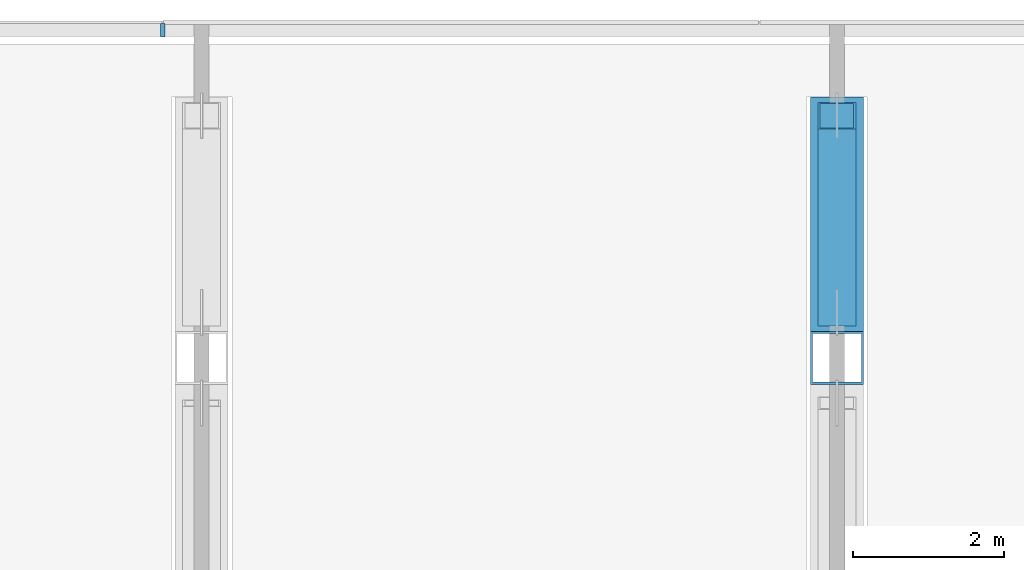
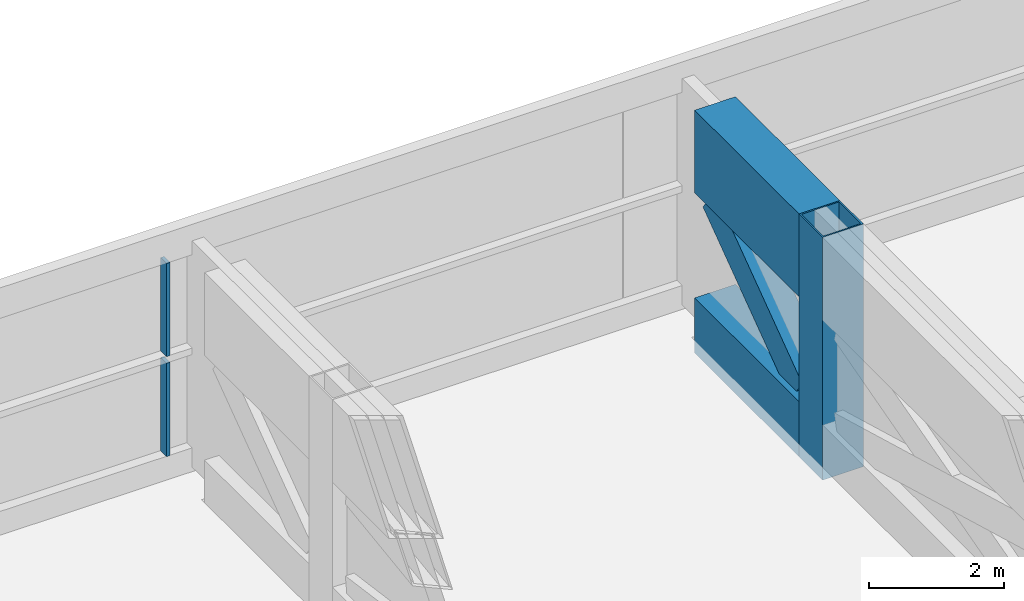
# One storey, part 10 of 33: 6 members, 1 element without a shape of its own.
"""IFC4 building model written with IfcOpenShell, lengths in metres."""

from ifc_helpers import new_model, si_unit, direction, frame, origin, origin_2d, place, context, subcontext, project, spatial, rectangle, hollow_rectangle, extrude, material, layer, layer_set, material_profile, profile_set, type_object, element, aggregate, save


model = new_model("IFC4")

# Units and contexts
model_context = context("Model", 3, precision=1e-05, world=origin(), true_north=direction((0.0, 1.0)))
body_context = subcontext(model_context, "Body", "Model", "MODEL_VIEW")
ifc_project = project(units=[si_unit("LENGTHUNIT", "METRE"), si_unit("AREAUNIT", "SQUARE_METRE"), si_unit("VOLUMEUNIT", "CUBIC_METRE"), si_unit("PLANEANGLEUNIT", "RADIAN"), si_unit("MASSUNIT", "GRAM", prefix="KILO")], contexts=[model_context])

# Site, building, storey
site_placement = place(None, origin())
site = spatial("IfcSite", under=ifc_project, at=site_placement, CompositionType="ELEMENT")
building_placement = place(site_placement, origin())
building = spatial("IfcBuilding", under=site, at=building_placement, Name="Hakoniwa Tower and Hamabe Station Hall", CompositionType="ELEMENT")
storey_placement = place(building_placement, frame((0.0, 0.0, 175.800048828125)))
storey = spatial("IfcBuildingStorey", under=building, at=storey_placement, Name="L50", CompositionType="ELEMENT", Elevation=175.800048828125)

# Curtain wall, members
ifc_material_1 = material(Name="Dark low-e laminated glass", Category="glass")
ifc_layer = layer(ifc_material_1, 0.199951171875)
ifc_layer_set = layer_set([ifc_layer], Name="CW-6 PLANT LOUVRE")
curtain_wall_type = type_object("IfcCurtainWallType", Name="CW-6 PLANT LOUVRE", PredefinedType="NOTDEFINED", material=ifc_layer_set)
curtain_wall_placement = place(storey_placement, origin())
curtain_wall = element("IfcCurtainWall", 1, at=curtain_wall_placement, inside=storey, type_object=curtain_wall_type, Name="CW-6 curtain wall", PredefinedType="NOTDEFINED")
ifc_material_2 = material(Name="Aluminium 6063-T5 black anodised", Category="aluminium")
ifc_material_profile_1 = material_profile(ifc_material_2, rectangle(XDim=0.06005859375, YDim=0.179931640625, at=origin_2d()), Name="CW-1 MULLION 60X180")
ifc_profile_set_1 = profile_set([ifc_material_profile_1], Name="Aluminium 6063-T5 black anodised")
member_type_1 = type_object("IfcMemberType", Name="CW-1 MULLION 60X180", PredefinedType="MULLION", material=ifc_profile_set_1)
member_1_placement = place(storey_placement, frame((7.887939453125, 20.431884765625, 0.349853515625), z_axis=(0.0, 0.0, 1.0), x_axis=(-1.0, 0.0, 0.0)))
member_1 = element("IfcMember", 2, at=member_1_placement, type_object=member_type_1, Name="CW-6 mullion", PredefinedType="MULLION", context=body_context, shape_type="SweptSolid", body=[
    extrude(rectangle(XDim=0.06005859375, YDim=0.179931640625, at=origin_2d()), origin(), (0.0, 0.0, 1.0), 1.690185546875),
])
member_2_placement = place(storey_placement, frame((7.887939453125, 20.431884765625, 2.159912109375), z_axis=(0.0, 0.0, 1.0), x_axis=(-1.0, 0.0, 0.0)))
member_2 = element("IfcMember", 3, at=member_2_placement, type_object=member_type_1, Name="CW-6 mullion", PredefinedType="MULLION", context=body_context, shape_type="SweptSolid", body=[
    extrude(rectangle(XDim=0.06005859375, YDim=0.179931640625, at=origin_2d()), origin(), (0.0, 0.0, 1.0), 1.68994140625),
])
aggregate(curtain_wall, [member_1, member_2])

# Members
ifc_material_3 = material(Name="Steel SN490C", Category="steel")
ifc_material_profile_2 = material_profile(ifc_material_3, hollow_rectangle(XDim=0.699951171875, YDim=1.0, WallThickness=0.0400390625, at=origin_2d()), Name="BX-1000x700x40")
ifc_profile_set_2 = profile_set([ifc_material_profile_2], Name="Steel SN490C")
member_type_2 = type_object("IfcMemberType", Name="TRUSS CHORD BX-1000x700x40", PredefinedType="CHORD", material=ifc_profile_set_2)
member_3_placement = place(storey_placement, frame((16.800048828125, 16.449951171875, 0.199951171875), z_axis=(0.0, 1.0, 0.0), x_axis=(-1.0, 0.0, 0.0)))
element("IfcMember", 4, at=member_3_placement, inside=storey, type_object=member_type_2, Name="Truss T3-15-BCH", PredefinedType="CHORD", context=body_context, shape_type="SweptSolid", body=[
    extrude(hollow_rectangle(XDim=0.699951171875, YDim=1.0, WallThickness=0.0400390625, at=origin_2d()), origin(), (0.0, 0.0, 1.0), 3.10009765625),
])
ifc_material_4 = material(Name="Steel SN490C", Category="steel")
ifc_material_profile_3 = material_profile(ifc_material_4, hollow_rectangle(XDim=0.699951171875, YDim=1.5, WallThickness=0.054931640625, at=origin_2d()), Name="BX-1500x700x55")
ifc_profile_set_3 = profile_set([ifc_material_profile_3], Name="Steel SN490C")
member_type_3 = type_object("IfcMemberType", Name="TRUSS CHORD BX-1500x700x55", PredefinedType="CHORD", material=ifc_profile_set_3)
member_4_placement = place(storey_placement, frame((16.800048828125, 16.449951171875, 3.349853515625), z_axis=(0.0, 1.0, 0.0), x_axis=(-1.0, 0.0, 0.0)))
element("IfcMember", 5, at=member_4_placement, inside=storey, type_object=member_type_3, Name="Truss T3-15-TCH", PredefinedType="CHORD", context=body_context, shape_type="SweptSolid", body=[
    extrude(hollow_rectangle(XDim=0.699951171875, YDim=1.5, WallThickness=0.054931640625, at=origin_2d()), origin(), (0.0, 0.0, 1.0), 3.10009765625),
])
ifc_material_5 = material(Name="Steel SN490C", Category="steel")
ifc_material_profile_4 = material_profile(ifc_material_5, hollow_rectangle(XDim=0.5, YDim=0.60009765625, WallThickness=0.028076171875, at=origin_2d()), Name="BX-600x500x28")
ifc_profile_set_4 = profile_set([ifc_material_profile_4], Name="Steel SN490C")
member_type_4 = type_object("IfcMemberType", Name="TRUSS DIAGONAL BX-600x500x28", PredefinedType="BRACE", material=ifc_profile_set_4)
member_5_placement = place(storey_placement, frame((16.800048828125, 16.699951171875, 0.699951171875), z_axis=(0.0, 0.807416124708, 0.589982373942), x_axis=(-1.0, 0.0, 0.0)))
element("IfcMember", 6, at=member_5_placement, inside=storey, type_object=member_type_4, Name="Truss T3-15-DHa", PredefinedType="BRACE", context=body_context, shape_type="SweptSolid", body=[
    extrude(hollow_rectangle(XDim=0.5, YDim=0.60009765625, WallThickness=0.028076171875, at=origin_2d()), origin(), (0.0, 0.0, 1.0), 3.22021484375),
])
ifc_material_6 = material(Name="Steel SN490C", Category="steel")
ifc_material_profile_5 = material_profile(ifc_material_6, hollow_rectangle(XDim=0.699951171875, YDim=0.699951171875, WallThickness=0.028076171875, at=origin_2d()), Name="BX-700x700x28")
ifc_profile_set_5 = profile_set([ifc_material_profile_5], Name="Steel SN490C")
member_type_5 = type_object("IfcMemberType", Name="TRUSS POST BX-700x700x28", PredefinedType="POST", material=ifc_profile_set_5)
member_6_placement = place(storey_placement, frame((16.800048828125, 16.10009765625, -0.300048828125), z_axis=(0.0, 0.0, 1.0), x_axis=(1.0, 0.0, 0.0)))
element("IfcMember", 7, at=member_6_placement, inside=storey, type_object=member_type_5, Name="Truss T3-15-P02", PredefinedType="POST", context=body_context, shape_type="SweptSolid", body=[
    extrude(hollow_rectangle(XDim=0.699951171875, YDim=0.699951171875, WallThickness=0.028076171875, at=origin_2d()), origin(), (0.0, 0.0, 1.0), 4.39990234375),
])

save(model, "model.ifc")
